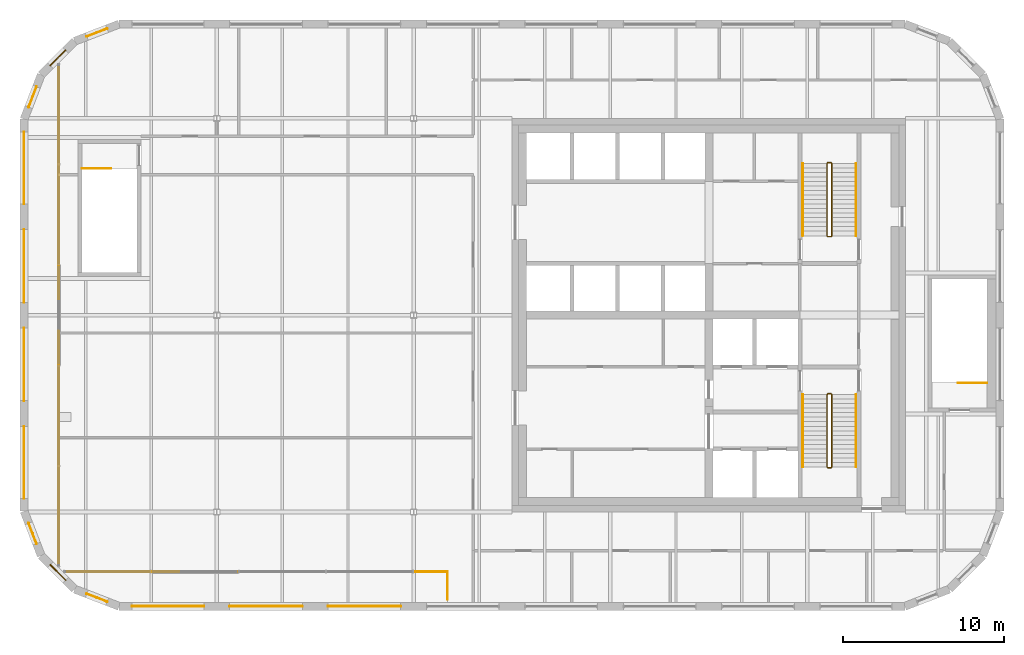
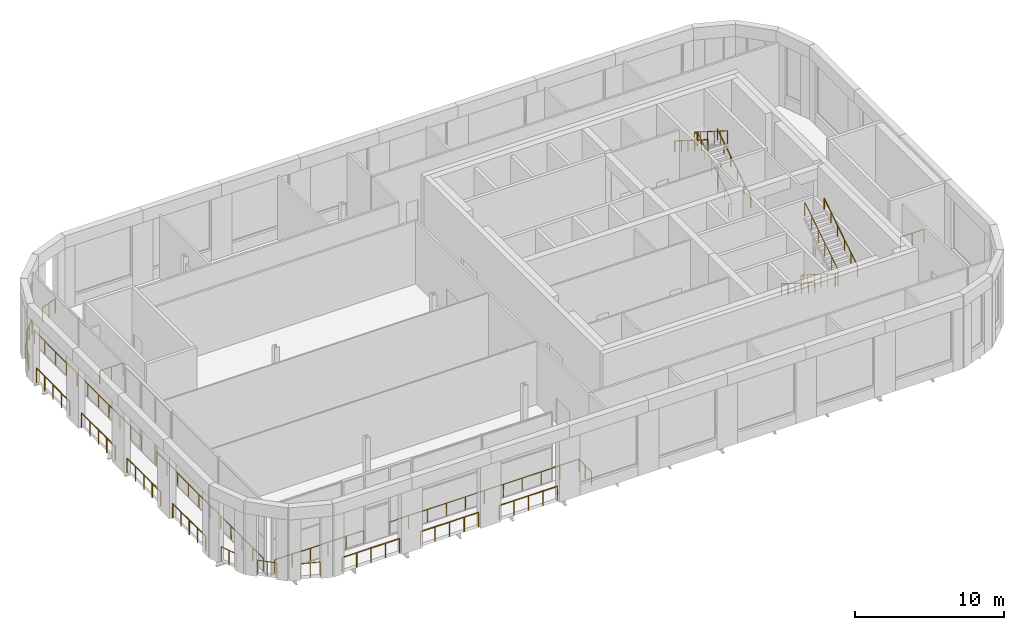
# One storey, part 18 of 19: 25 railings.
"""IFC4 building model written with IfcOpenShell, lengths in metres."""

import ifcopenshell
import ifcopenshell.guid

model = None  # the IFC model being written
_history = None  # IfcOwnerHistory: only IFC2X3 demands one
_inside = {}  # id of a spatial element -> (the spatial element, [elements in it])
_under = {}  # id of a project, library or spatial element -> (it, [spatial elements below it])
_declared = {}  # id of a project -> (the project, [libraries it declares])
_typed = {}  # id of a type object -> (the type object, [elements of that type])
_made_of = {}  # id of a material, layer set ... -> (it, [elements and type objects made of it])


def new_model(schema):
    """Start an empty IFC model of exactly this schema.

    Asked for "IFC4X3", IfcOpenShell would pick the latest addendum, in which some entities
    have other attributes; the version numbers below select the first issue.
    IFC2X3 requires an IfcOwnerHistory on every rooted entity: one is made here for all.
    """
    global model, _history
    if schema == "IFC4X3":
        model = ifcopenshell.file(schema_version=(4, 3, 0, 0))
    else:
        model = ifcopenshell.file(schema=schema)
    _inside.clear()
    _under.clear()
    _declared.clear()
    _typed.clear()
    _made_of.clear()
    _history = None
    if model.schema == "IFC2X3":
        org = make("IfcOrganization", Name="unknown")
        user = make(
            "IfcPersonAndOrganization",
            ThePerson=make("IfcPerson", FamilyName="unknown"),
            TheOrganization=org,
        )
        app = make(
            "IfcApplication",
            ApplicationDeveloper=org,
            Version="unknown",
            ApplicationFullName="unknown",
            ApplicationIdentifier="unknown",
        )
        _history = make(
            "IfcOwnerHistory",
            OwningUser=user,
            OwningApplication=app,
            ChangeAction="ADDED",
            CreationDate=0,
        )
    return model


def make(cls, **values):
    """One entity of the class cls with the attributes given. An attribute that is None is left unset."""
    return model.create_entity(
        cls, **{name: value for name, value in values.items() if value is not None}
    )


def rooted(cls, **values):
    """An entity with a GlobalId (a new one), such as an element, a storey or a relation."""
    return make(cls, GlobalId=ifcopenshell.guid.new(), OwnerHistory=_history, **values)


def si_unit(unit_type, name, prefix=None):
    """IfcSIUnit, for example si_unit("LENGTHUNIT", "METRE", prefix="MILLI")."""
    return make("IfcSIUnit", UnitType=unit_type, Prefix=prefix, Name=name)


def assignment(units):
    """IfcUnitAssignment: the units of a project."""
    return None if units is None else make("IfcUnitAssignment", Units=units)


def point(xyz):
    """IfcCartesianPoint."""
    return None if xyz is None else make("IfcCartesianPoint", Coordinates=xyz)


def direction(xyz):
    """IfcDirection."""
    return None if xyz is None else make("IfcDirection", DirectionRatios=xyz)


def frame(location, z_axis=None, x_axis=None):
    """IfcAxis2Placement3D, a coordinate frame: its origin and axes. An axis left out is left unset."""
    return make(
        "IfcAxis2Placement3D",
        Location=point(location),
        Axis=direction(z_axis),
        RefDirection=direction(x_axis),
    )


def frame_2d(location, x_axis=None):
    """IfcAxis2Placement2D, a coordinate frame in the plane: its origin and x axis."""
    return make(
        "IfcAxis2Placement2D", Location=point(location), RefDirection=direction(x_axis)
    )


def origin():
    """The frame at (0, 0, 0) with its axes left unset."""
    return frame((0.0, 0.0, 0.0))


def origin_2d():
    """The frame at (0, 0) in the plane with its x axis left unset."""
    return frame_2d((0.0, 0.0))


def place(relative_to, where):
    """IfcLocalPlacement: puts the frame where relative to a parent placement (None: the world)."""
    return make(
        "IfcLocalPlacement", PlacementRelTo=relative_to, RelativePlacement=where
    )


def context(
    kind, dimensions, precision=None, world=None, true_north=None, identifier=None
):
    """IfcGeometricRepresentationContext, for example the 3D "Model" context."""
    return make(
        "IfcGeometricRepresentationContext",
        ContextIdentifier=identifier,
        ContextType=kind,
        CoordinateSpaceDimension=dimensions,
        Precision=precision,
        WorldCoordinateSystem=world,
        TrueNorth=true_north,
    )


def subcontext(parent, identifier, kind, view, scale=None):
    """IfcGeometricRepresentationSubContext, for example "Body" below "Model"."""
    return make(
        "IfcGeometricRepresentationSubContext",
        ContextIdentifier=identifier,
        ContextType=kind,
        ParentContext=parent,
        TargetScale=scale,
        TargetView=view,
    )


def project(units=None, contexts=None):
    """IfcProject with its units and contexts."""
    return rooted(
        "IfcProject",
        Name="project",
        RepresentationContexts=contexts,
        UnitsInContext=assignment(units),
    )


def spatial(cls, under=None, at=None, **own):
    """A site, building, storey or space (cls), placed at a placement, below another one or the project."""
    s = rooted(cls, ObjectPlacement=at, **own)
    if under is not None:
        _under.setdefault(under.id(), (under, []))[1].append(s)
    return s


def profile(cls, at=None, kind="AREA", **sizes):
    """A parametric profile (cls). Its sizes go by their IFC names, for example OverallWidth=200.0."""
    return make(cls, ProfileType=kind, Position=at, **sizes)


def circle(**sizes):
    """IfcCircleProfileDef."""
    return profile("IfcCircleProfileDef", **sizes)


def extrude(swept, where, along, depth):
    """IfcExtrudedAreaSolid: the profile swept, set in the frame where, extruded along a direction by depth."""
    return make(
        "IfcExtrudedAreaSolid",
        SweptArea=swept,
        Position=where,
        ExtrudedDirection=direction(along),
        Depth=depth,
    )


def shape(context_of_items, identifier, shape_type, items):
    """IfcShapeRepresentation: the items that make up one representation, for example the "Body"."""
    return make(
        "IfcShapeRepresentation",
        ContextOfItems=context_of_items,
        RepresentationIdentifier=identifier,
        RepresentationType=shape_type,
        Items=items,
    )


def material(Name=None, Category=None):
    """IfcMaterial."""
    return make("IfcMaterial", Name=Name, Category=Category)


def made_of(thing, what):
    """Note that an element or type object is made of a material, layer set ...; save() writes the relation."""
    if what is not None:
        _made_of.setdefault(what.id(), (what, []))[1].append(thing)
    return thing


def type_object(cls, material=None, **own):
    """A type object (cls), such as IfcWallType, which elements share."""
    return made_of(rooted(cls, **own), material)


def element(
    cls,
    number,
    at=None,
    inside=None,
    cuts=None,
    type_object=None,
    material=None,
    context=None,
    identifier="Body",
    shape_type=None,
    held_by="IfcProductDefinitionShape",
    body=None,
    shapes=None,
    **own,
):
    """One element of the class cls, such as IfcWall. Its Tag is "e" and its number.

    at: its placement. inside: the storey or other place that contains it. cuts: it is an
    opening in that element (IfcRelVoidsElement). A single representation is given by context,
    identifier, shape_type and body (its items); several are given by shapes. held_by: the class
    of the entity that holds the representations. save() writes the other relations.
    """
    e = rooted(cls, Tag="e%d" % number, ObjectPlacement=at, **own)
    if body is not None:
        shapes = [shape(context, identifier, shape_type, body)]
    if shapes is not None:
        e.Representation = make(held_by, Representations=shapes)
    if inside is not None:
        _inside.setdefault(inside.id(), (inside, []))[1].append(e)
    if cuts is not None:
        rooted(
            "IfcRelVoidsElement", RelatingBuildingElement=cuts, RelatedOpeningElement=e
        )
    if type_object is not None:
        _typed.setdefault(type_object.id(), (type_object, []))[1].append(e)
    return made_of(e, material)


def aggregate(whole, parts):
    """IfcRelAggregates: a whole, such as a stair, and the parts it consists of."""
    return rooted("IfcRelAggregates", RelatingObject=whole, RelatedObjects=parts)


def save(model, path):
    """Write the relations noted so far, then the file.

    IfcRelAggregates (storeys below a building ...), IfcRelContainedInSpatialStructure (elements
    in a storey), IfcRelDefinesByType, IfcRelAssociatesMaterial and IfcRelDeclares: one each for
    every whole, place, type object, material and project.
    """
    for whole, parts in _under.values():
        aggregate(whole, parts)
    for where, things in _inside.values():
        rooted(
            "IfcRelContainedInSpatialStructure",
            RelatedElements=things,
            RelatingStructure=where,
        )
    for kind, things in _typed.values():
        rooted("IfcRelDefinesByType", RelatedObjects=things, RelatingType=kind)
    for what, things in _made_of.values():
        rooted("IfcRelAssociatesMaterial", RelatedObjects=things, RelatingMaterial=what)
    for by, libraries in _declared.values():
        rooted("IfcRelDeclares", RelatingContext=by, RelatedDefinitions=libraries)
    model.write(path)


model = new_model("IFC4")

# Units and contexts
model_context = context("Model", 3, precision=1e-05, world=origin(), true_north=direction((0.0, 1.0)))
body_context = subcontext(model_context, "Body", "Model", "MODEL_VIEW")
ifc_project = project(units=[si_unit("LENGTHUNIT", "METRE"), si_unit("AREAUNIT", "SQUARE_METRE"), si_unit("VOLUMEUNIT", "CUBIC_METRE"), si_unit("PLANEANGLEUNIT", "RADIAN"), si_unit("MASSUNIT", "GRAM", prefix="KILO")], contexts=[model_context])

# Site, building, storey
site_placement = place(None, origin())
site = spatial("IfcSite", under=ifc_project, at=site_placement, CompositionType="ELEMENT")
building_placement = place(site_placement, origin())
building = spatial("IfcBuilding", under=site, at=building_placement, Name="Tessera Gate Towers", CompositionType="ELEMENT")
storey_placement = place(building_placement, frame((0.0, 0.0, 259.699951171875)))
storey = spatial("IfcBuildingStorey", under=building, at=storey_placement, Name="L65", CompositionType="ELEMENT", Elevation=259.699951171875)

# Railings
ifc_material_1 = material(Name="Stainless steel balustrade", Category="steel")
railing_type_1 = type_object("IfcRailingType", Name="GR1 guard rail", PredefinedType="GUARDRAIL", material=ifc_material_1)
railing_1_placement = place(storey_placement, frame((6.946533203125, 18.550048828125, 0.0)))
element("IfcRailing", 1, at=railing_1_placement, inside=storey, type_object=railing_type_1, Name="Guard T1 GR-0001", PredefinedType="GUARDRAIL", context=body_context, shape_type="SweptSolid", body=[
    extrude(circle(Radius=0.02490234375, at=origin_2d()), frame((0.0, 0.0, 1.1748046875), z_axis=(1.0, 0.0, 0.0), x_axis=(0.0, 1.0, 0.0)), (0.0, 0.0, 1.0), 4.453369140625),
    extrude(circle(Radius=0.02490234375, at=origin_2d()), origin(), (0.0, 0.0, 1.0), 1.14990234375),
    extrude(circle(Radius=0.02490234375, at=origin_2d()), frame((1.11328125, 0.0, 0.0)), (0.0, 0.0, 1.0), 1.14990234375),
    extrude(circle(Radius=0.02490234375, at=origin_2d()), frame((2.2265625, 0.0, 0.0)), (0.0, 0.0, 1.0), 1.14990234375),
    extrude(circle(Radius=0.02490234375, at=origin_2d()), frame((3.340087890625, 0.0, 0.0)), (0.0, 0.0, 1.0), 1.14990234375),
    extrude(circle(Radius=0.02490234375, at=origin_2d()), frame((4.453369140625, 0.0, 0.0)), (0.0, 0.0, 1.0), 1.14990234375),
])
for number, where, name in (
    (2, (13.0, 18.550048828125, 0.0), "Guard T1 GR-0002"),
    (3, (19.10009765625, 18.550048828125, 0.0), "Guard T1 GR-0003"),
):
    element("IfcRailing", number, at=place(storey_placement, frame(where)), inside=storey, type_object=railing_type_1, Name=name, PredefinedType="GUARDRAIL", context=body_context, shape_type="SweptSolid", body=[
        extrude(circle(Radius=0.02490234375, at=origin_2d()), frame((0.0, 0.0, 1.1748046875), z_axis=(1.0, 0.0, 0.0), x_axis=(0.0, 1.0, 0.0)), (0.0, 0.0, 1.0), 4.5),
        extrude(circle(Radius=0.02490234375, at=origin_2d()), origin(), (0.0, 0.0, 1.0), 1.14990234375),
        extrude(circle(Radius=0.02490234375, at=origin_2d()), frame((1.125, 0.0, 0.0)), (0.0, 0.0, 1.0), 1.14990234375),
        extrude(circle(Radius=0.02490234375, at=origin_2d()), frame((2.25, 0.0, 0.0)), (0.0, 0.0, 1.0), 1.14990234375),
        extrude(circle(Radius=0.02490234375, at=origin_2d()), frame((3.375, 0.0, 0.0)), (0.0, 0.0, 1.0), 1.14990234375),
        extrude(circle(Radius=0.02490234375, at=origin_2d()), frame((4.5, 0.0, 0.0)), (0.0, 0.0, 1.0), 1.14990234375),
    ])
railing_2_placement = place(storey_placement, frame((5.400146484375, 54.362060546875, 0.0)))
element("IfcRailing", 4, at=railing_2_placement, inside=storey, type_object=railing_type_1, Name="Guard T1 GR-0004", PredefinedType="GUARDRAIL", context=body_context, shape_type="SweptSolid", body=[
    extrude(circle(Radius=0.02490234375, at=origin_2d()), frame((0.0, 0.0, 1.1748046875), z_axis=(-0.932981713512, -0.359923772835, 0.0), x_axis=(0.359923772835, -0.932981713512, 0.0)), (0.0, 0.0, 1.0), 1.3505859375),
    extrude(circle(Radius=0.02490234375, at=origin_2d()), origin(), (0.0, 0.0, 1.0), 1.14990234375),
    extrude(circle(Radius=0.02490234375, at=origin_2d()), frame((-0.6298828125, -0.2431640625, 0.0)), (0.0, 0.0, 1.0), 1.14990234375),
    extrude(circle(Radius=0.02490234375, at=origin_2d()), frame((-1.260009765625, -0.486083984375, 0.0)), (0.0, 0.0, 1.0), 1.14990234375),
])
railing_3_placement = place(storey_placement, frame((2.828125, 53.0224609375, 0.0)))
element("IfcRailing", 5, at=railing_3_placement, inside=storey, type_object=railing_type_1, Name="Guard T1 GR-0005", PredefinedType="GUARDRAIL", context=body_context, shape_type="SweptSolid", body=[
    extrude(circle(Radius=0.02490234375, at=origin_2d()), frame((0.0, 0.0, 1.1748046875), z_axis=(-0.707106781187, -0.707106781187, 0.0), x_axis=(0.707106781187, -0.707106781187, 0.0)), (0.0, 0.0, 1.0), 1.34423828125),
    extrude(circle(Radius=0.02490234375, at=origin_2d()), origin(), (0.0, 0.0, 1.0), 1.14990234375),
    extrude(circle(Radius=0.02490234375, at=origin_2d()), frame((-0.47509765625, -0.47509765625, 0.0)), (0.0, 0.0, 1.0), 1.14990234375),
    extrude(circle(Radius=0.02490234375, at=origin_2d()), frame((-0.950439453125, -0.950439453125, 0.0)), (0.0, 0.0, 1.0), 1.14990234375),
])
railing_4_placement = place(storey_placement, frame((1.02392578125, 50.759765625, 0.0)))
element("IfcRailing", 6, at=railing_4_placement, inside=storey, type_object=railing_type_1, Name="Guard T1 GR-0006", PredefinedType="GUARDRAIL", context=body_context, shape_type="SweptSolid", body=[
    extrude(circle(Radius=0.02490234375, at=origin_2d()), frame((0.0, 0.0, 1.1748046875), z_axis=(-0.359923772835, -0.932981713512, 0.0), x_axis=(0.932981713512, -0.359923772835, 0.0)), (0.0, 0.0, 1.0), 1.3505859375),
    extrude(circle(Radius=0.02490234375, at=origin_2d()), origin(), (0.0, 0.0, 1.0), 1.14990234375),
    extrude(circle(Radius=0.02490234375, at=origin_2d()), frame((-0.2431640625, -0.6298828125, 0.0)), (0.0, 0.0, 1.0), 1.14990234375),
    extrude(circle(Radius=0.02490234375, at=origin_2d()), frame((-0.486083984375, -1.260009765625, 0.0)), (0.0, 0.0, 1.0), 1.14990234375),
])
railing_5_placement = place(storey_placement, frame((0.25, 47.953369140625, 0.0)))
element("IfcRailing", 7, at=railing_5_placement, inside=storey, type_object=railing_type_1, Name="Guard T1 GR-0007", PredefinedType="GUARDRAIL", context=body_context, shape_type="SweptSolid", body=[
    extrude(circle(Radius=0.02490234375, at=origin_2d()), frame((0.0, 0.0, 1.1748046875), z_axis=(0.0, -1.0, 0.0), x_axis=(1.0, 0.0, 0.0)), (0.0, 0.0, 1.0), 4.453369140625),
    extrude(circle(Radius=0.02490234375, at=origin_2d()), origin(), (0.0, 0.0, 1.0), 1.14990234375),
    extrude(circle(Radius=0.02490234375, at=origin_2d()), frame((0.0, -1.11328125, 0.0)), (0.0, 0.0, 1.0), 1.14990234375),
    extrude(circle(Radius=0.02490234375, at=origin_2d()), frame((0.0, -2.2265625, 0.0)), (0.0, 0.0, 1.0), 1.14990234375),
    extrude(circle(Radius=0.02490234375, at=origin_2d()), frame((0.0, -3.340087890625, 0.0)), (0.0, 0.0, 1.0), 1.14990234375),
    extrude(circle(Radius=0.02490234375, at=origin_2d()), frame((0.0, -4.453369140625, 0.0)), (0.0, 0.0, 1.0), 1.14990234375),
])
for number, where, name in (
    (8, (0.25, 41.89990234375, 0.0), "Guard T1 GR-0008"),
    (9, (0.25, 35.800048828125, 0.0), "Guard T1 GR-0009"),
):
    element("IfcRailing", number, at=place(storey_placement, frame(where)), inside=storey, type_object=railing_type_1, Name=name, PredefinedType="GUARDRAIL", context=body_context, shape_type="SweptSolid", body=[
        extrude(circle(Radius=0.02490234375, at=origin_2d()), frame((0.0, 0.0, 1.1748046875), z_axis=(0.0, -1.0, 0.0), x_axis=(1.0, 0.0, 0.0)), (0.0, 0.0, 1.0), 4.5),
        extrude(circle(Radius=0.02490234375, at=origin_2d()), origin(), (0.0, 0.0, 1.0), 1.14990234375),
        extrude(circle(Radius=0.02490234375, at=origin_2d()), frame((0.0, -1.125, 0.0)), (0.0, 0.0, 1.0), 1.14990234375),
        extrude(circle(Radius=0.02490234375, at=origin_2d()), frame((0.0, -2.25, 0.0)), (0.0, 0.0, 1.0), 1.14990234375),
        extrude(circle(Radius=0.02490234375, at=origin_2d()), frame((0.0, -3.375, 0.0)), (0.0, 0.0, 1.0), 1.14990234375),
        extrude(circle(Radius=0.02490234375, at=origin_2d()), frame((0.0, -4.5, 0.0)), (0.0, 0.0, 1.0), 1.14990234375),
    ])
railing_6_placement = place(storey_placement, frame((0.25, 29.699951171875, 0.0)))
element("IfcRailing", 10, at=railing_6_placement, inside=storey, type_object=railing_type_1, Name="Guard T1 GR-0010", PredefinedType="GUARDRAIL", context=body_context, shape_type="SweptSolid", body=[
    extrude(circle(Radius=0.02490234375, at=origin_2d()), frame((0.0, 0.0, 1.1748046875), z_axis=(0.0, -1.0, 0.0), x_axis=(1.0, 0.0, 0.0)), (0.0, 0.0, 1.0), 4.453369140625),
    extrude(circle(Radius=0.02490234375, at=origin_2d()), origin(), (0.0, 0.0, 1.0), 1.14990234375),
    extrude(circle(Radius=0.02490234375, at=origin_2d()), frame((0.0, -1.11328125, 0.0)), (0.0, 0.0, 1.0), 1.14990234375),
    extrude(circle(Radius=0.02490234375, at=origin_2d()), frame((0.0, -2.2265625, 0.0)), (0.0, 0.0, 1.0), 1.14990234375),
    extrude(circle(Radius=0.02490234375, at=origin_2d()), frame((0.0, -3.340087890625, 0.0)), (0.0, 0.0, 1.0), 1.14990234375),
    extrude(circle(Radius=0.02490234375, at=origin_2d()), frame((0.0, -4.453369140625, 0.0)), (0.0, 0.0, 1.0), 1.14990234375),
])
railing_7_placement = place(storey_placement, frame((0.537841796875, 23.7001953125, 0.0)))
element("IfcRailing", 11, at=railing_7_placement, inside=storey, type_object=railing_type_1, Name="Guard T1 GR-0011", PredefinedType="GUARDRAIL", context=body_context, shape_type="SweptSolid", body=[
    extrude(circle(Radius=0.02490234375, at=origin_2d()), frame((0.0, 0.0, 1.1748046875), z_axis=(0.359923772835, -0.932981713512, 0.0), x_axis=(0.932981713512, 0.359923772835, 0.0)), (0.0, 0.0, 1.0), 1.3505859375),
    extrude(circle(Radius=0.02490234375, at=origin_2d()), origin(), (0.0, 0.0, 1.0), 1.14990234375),
    extrude(circle(Radius=0.02490234375, at=origin_2d()), frame((0.2431640625, -0.6298828125, 0.0)), (0.0, 0.0, 1.0), 1.14990234375),
    extrude(circle(Radius=0.02490234375, at=origin_2d()), frame((0.486083984375, -1.260009765625, 0.0)), (0.0, 0.0, 1.0), 1.14990234375),
])
railing_8_placement = place(storey_placement, frame((1.877685546875, 21.1279296875, 0.0)))
element("IfcRailing", 12, at=railing_8_placement, inside=storey, type_object=railing_type_1, Name="Guard T1 GR-0012", PredefinedType="GUARDRAIL", context=body_context, shape_type="SweptSolid", body=[
    extrude(circle(Radius=0.02490234375, at=origin_2d()), frame((0.0, 0.0, 1.1748046875), z_axis=(0.707106781187, -0.707106781187, 0.0), x_axis=(0.707106781187, 0.707106781187, 0.0)), (0.0, 0.0, 1.0), 1.34423828125),
    extrude(circle(Radius=0.02490234375, at=origin_2d()), origin(), (0.0, 0.0, 1.0), 1.14990234375),
    extrude(circle(Radius=0.02490234375, at=origin_2d()), frame((0.47509765625, -0.47509765625, 0.0)), (0.0, 0.0, 1.0), 1.14990234375),
    extrude(circle(Radius=0.02490234375, at=origin_2d()), frame((0.950439453125, -0.950439453125, 0.0)), (0.0, 0.0, 1.0), 1.14990234375),
])
railing_9_placement = place(storey_placement, frame((4.14013671875, 19.323974609375, 0.0)))
element("IfcRailing", 13, at=railing_9_placement, inside=storey, type_object=railing_type_1, Name="Guard T1 GR-0013", PredefinedType="GUARDRAIL", context=body_context, shape_type="SweptSolid", body=[
    extrude(circle(Radius=0.02490234375, at=origin_2d()), frame((0.0, 0.0, 1.1748046875), z_axis=(0.932981713512, -0.359923772835, 0.0), x_axis=(0.359923772835, 0.932981713512, 0.0)), (0.0, 0.0, 1.0), 1.3505859375),
    extrude(circle(Radius=0.02490234375, at=origin_2d()), origin(), (0.0, 0.0, 1.0), 1.14990234375),
    extrude(circle(Radius=0.02490234375, at=origin_2d()), frame((0.6298828125, -0.2431640625, 0.0)), (0.0, 0.0, 1.0), 1.14990234375),
    extrude(circle(Radius=0.02490234375, at=origin_2d()), frame((1.260009765625, -0.486083984375, 0.0)), (0.0, 0.0, 1.0), 1.14990234375),
])
ifc_material_2 = material(Name="Toughened glass with stainless steel handrail", Category="steel")
railing_type_2 = type_object("IfcRailingType", Name="GUARD 1100 GLASS BALUSTRADE", PredefinedType="GUARDRAIL", material=ifc_material_2)
railing_10_placement = place(storey_placement, frame((2.39990234375, 21.241943359375, 0.0)))
element("IfcRailing", 14, at=railing_10_placement, inside=storey, type_object=railing_type_2, Name="Guard", PredefinedType="GUARDRAIL", context=body_context, shape_type="SweptSolid", body=[
    extrude(circle(Radius=0.02490234375, at=origin_2d()), frame((0.0, 0.0, 1.0751953125), z_axis=(0.0, 1.0, 0.0), x_axis=(-1.0, 0.0, 0.0)), (0.0, 0.0, 1.0), 14.358154296875),
    extrude(circle(Radius=0.02490234375, at=origin_2d()), origin(), (0.0, 0.0, 1.0), 1.050048828125),
    extrude(circle(Radius=0.02490234375, at=origin_2d()), frame((0.0, 1.435791015625, 0.0)), (0.0, 0.0, 1.0), 1.050048828125),
    extrude(circle(Radius=0.02490234375, at=origin_2d()), frame((0.0, 2.87158203125, 0.0)), (0.0, 0.0, 1.0), 1.050048828125),
    extrude(circle(Radius=0.02490234375, at=origin_2d()), frame((0.0, 4.307373046875, 0.0)), (0.0, 0.0, 1.0), 1.050048828125),
    extrude(circle(Radius=0.02490234375, at=origin_2d()), frame((0.0, 5.7431640625, 0.0)), (0.0, 0.0, 1.0), 1.050048828125),
    extrude(circle(Radius=0.02490234375, at=origin_2d()), frame((0.0, 7.17919921875, 0.0)), (0.0, 0.0, 1.0), 1.050048828125),
    extrude(circle(Radius=0.02490234375, at=origin_2d()), frame((0.0, 8.614990234375, 0.0)), (0.0, 0.0, 1.0), 1.050048828125),
    extrude(circle(Radius=0.02490234375, at=origin_2d()), frame((0.0, 10.05078125, 0.0)), (0.0, 0.0, 1.0), 1.050048828125),
    extrude(circle(Radius=0.02490234375, at=origin_2d()), frame((0.0, 11.486572265625, 0.0)), (0.0, 0.0, 1.0), 1.050048828125),
    extrude(circle(Radius=0.02490234375, at=origin_2d()), frame((0.0, 12.92236328125, 0.0)), (0.0, 0.0, 1.0), 1.050048828125),
    extrude(circle(Radius=0.02490234375, at=origin_2d()), frame((0.0, 14.358154296875, 0.0)), (0.0, 0.0, 1.0), 1.050048828125),
])
railing_11_placement = place(storey_placement, frame((2.39990234375, 37.60009765625, 0.0)))
element("IfcRailing", 15, at=railing_11_placement, inside=storey, type_object=railing_type_2, Name="Guard", PredefinedType="GUARDRAIL", context=body_context, shape_type="SweptSolid", body=[
    extrude(circle(Radius=0.02490234375, at=origin_2d()), frame((0.0, 0.0, 1.0751953125), z_axis=(0.0, 1.0, 0.0), x_axis=(-1.0, 0.0, 0.0)), (0.0, 0.0, 1.0), 14.35791015625),
    extrude(circle(Radius=0.02490234375, at=origin_2d()), origin(), (0.0, 0.0, 1.0), 1.050048828125),
    extrude(circle(Radius=0.02490234375, at=origin_2d()), frame((0.0, 1.435791015625, 0.0)), (0.0, 0.0, 1.0), 1.050048828125),
    extrude(circle(Radius=0.02490234375, at=origin_2d()), frame((0.0, 2.87158203125, 0.0)), (0.0, 0.0, 1.0), 1.050048828125),
    extrude(circle(Radius=0.02490234375, at=origin_2d()), frame((0.0, 4.307373046875, 0.0)), (0.0, 0.0, 1.0), 1.050048828125),
    extrude(circle(Radius=0.02490234375, at=origin_2d()), frame((0.0, 5.7431640625, 0.0)), (0.0, 0.0, 1.0), 1.050048828125),
    extrude(circle(Radius=0.02490234375, at=origin_2d()), frame((0.0, 7.178955078125, 0.0)), (0.0, 0.0, 1.0), 1.050048828125),
    extrude(circle(Radius=0.02490234375, at=origin_2d()), frame((0.0, 8.61474609375, 0.0)), (0.0, 0.0, 1.0), 1.050048828125),
    extrude(circle(Radius=0.02490234375, at=origin_2d()), frame((0.0, 10.050537109375, 0.0)), (0.0, 0.0, 1.0), 1.050048828125),
    extrude(circle(Radius=0.02490234375, at=origin_2d()), frame((0.0, 11.486328125, 0.0)), (0.0, 0.0, 1.0), 1.050048828125),
    extrude(circle(Radius=0.02490234375, at=origin_2d()), frame((0.0, 12.922119140625, 0.0)), (0.0, 0.0, 1.0), 1.050048828125),
    extrude(circle(Radius=0.02490234375, at=origin_2d()), frame((0.0, 14.35791015625, 0.0)), (0.0, 0.0, 1.0), 1.050048828125),
])
railing_12_placement = place(storey_placement, frame((9.83740234375, 20.699951171875, 0.0)))
element("IfcRailing", 16, at=railing_12_placement, inside=storey, type_object=railing_type_2, Name="Guard", PredefinedType="GUARDRAIL", context=body_context, shape_type="SweptSolid", body=[
    extrude(circle(Radius=0.02490234375, at=origin_2d()), frame((0.0, 0.0, 1.0751953125), z_axis=(-1.0, 0.0, 0.0), x_axis=(0.0, -1.0, 0.0)), (0.0, 0.0, 1.0), 6.8955078125),
    extrude(circle(Radius=0.02490234375, at=origin_2d()), origin(), (0.0, 0.0, 1.0), 1.050048828125),
    extrude(circle(Radius=0.02490234375, at=origin_2d()), frame((-1.379150390625, 0.0, 0.0)), (0.0, 0.0, 1.0), 1.050048828125),
    extrude(circle(Radius=0.02490234375, at=origin_2d()), frame((-2.75830078125, 0.0, 0.0)), (0.0, 0.0, 1.0), 1.050048828125),
    extrude(circle(Radius=0.02490234375, at=origin_2d()), frame((-4.13720703125, 0.0, 0.0)), (0.0, 0.0, 1.0), 1.050048828125),
    extrude(circle(Radius=0.02490234375, at=origin_2d()), frame((-5.516357421875, 0.0, 0.0)), (0.0, 0.0, 1.0), 1.050048828125),
    extrude(circle(Radius=0.02490234375, at=origin_2d()), frame((-6.8955078125, 0.0, 0.0)), (0.0, 0.0, 1.0), 1.050048828125),
])
railing_13_placement = place(storey_placement, frame((26.5, 19.0, 0.0)))
element("IfcRailing", 17, at=railing_13_placement, inside=storey, type_object=railing_type_2, Name="Guard", PredefinedType="GUARDRAIL", context=body_context, shape_type="SweptSolid", body=[
    extrude(circle(Radius=0.02490234375, at=origin_2d()), frame((0.0, 0.0, 1.0751953125), z_axis=(0.0, 1.0, 0.0), x_axis=(-1.0, 0.0, 0.0)), (0.0, 0.0, 1.0), 1.699951171875),
    extrude(circle(Radius=0.02490234375, at=origin_2d()), frame((0.0, 1.699951171875, 1.0751953125), z_axis=(-1.0, 0.0, 0.0), x_axis=(0.0, -1.0, 0.0)), (0.0, 0.0, 1.0), 14.66259765625),
    extrude(circle(Radius=0.02490234375, at=origin_2d()), origin(), (0.0, 0.0, 1.0), 1.050048828125),
    extrude(circle(Radius=0.02490234375, at=origin_2d()), frame((0.0, 0.85009765625, 0.0)), (0.0, 0.0, 1.0), 1.050048828125),
    extrude(circle(Radius=0.02490234375, at=origin_2d()), frame((0.0, 1.699951171875, 0.0)), (0.0, 0.0, 1.0), 1.050048828125),
    extrude(circle(Radius=0.02490234375, at=origin_2d()), frame((-1.46630859375, 1.699951171875, 0.0)), (0.0, 0.0, 1.0), 1.050048828125),
    extrude(circle(Radius=0.02490234375, at=origin_2d()), frame((-2.9326171875, 1.699951171875, 0.0)), (0.0, 0.0, 1.0), 1.050048828125),
    extrude(circle(Radius=0.02490234375, at=origin_2d()), frame((-4.398681640625, 1.699951171875, 0.0)), (0.0, 0.0, 1.0), 1.050048828125),
    extrude(circle(Radius=0.02490234375, at=origin_2d()), frame((-5.864990234375, 1.699951171875, 0.0)), (0.0, 0.0, 1.0), 1.050048828125),
    extrude(circle(Radius=0.02490234375, at=origin_2d()), frame((-7.331298828125, 1.699951171875, 0.0)), (0.0, 0.0, 1.0), 1.050048828125),
    extrude(circle(Radius=0.02490234375, at=origin_2d()), frame((-8.797607421875, 1.699951171875, 0.0)), (0.0, 0.0, 1.0), 1.050048828125),
    extrude(circle(Radius=0.02490234375, at=origin_2d()), frame((-10.263916015625, 1.699951171875, 0.0)), (0.0, 0.0, 1.0), 1.050048828125),
    extrude(circle(Radius=0.02490234375, at=origin_2d()), frame((-11.72998046875, 1.699951171875, 0.0)), (0.0, 0.0, 1.0), 1.050048828125),
    extrude(circle(Radius=0.02490234375, at=origin_2d()), frame((-13.1962890625, 1.699951171875, 0.0)), (0.0, 0.0, 1.0), 1.050048828125),
    extrude(circle(Radius=0.02490234375, at=origin_2d()), frame((-14.66259765625, 1.699951171875, 0.0)), (0.0, 0.0, 1.0), 1.050048828125),
])
ifc_material_3 = material(Name="Steel 350W", Category="steel")
railing_type_3 = type_object("IfcRailingType", Name="STAIR GUARD 1100", PredefinedType="GUARDRAIL", material=ifc_material_3)
railing_14_placement = place(storey_placement, frame((50.27490234375, 31.72509765625, 0.0)))
element("IfcRailing", 18, at=railing_14_placement, inside=storey, type_object=railing_type_3, Name="L65 ST1 stair guard 1", PredefinedType="GUARDRAIL", context=body_context, shape_type="SweptSolid", body=[
    extrude(circle(Radius=0.02392578125, at=origin_2d()), frame((0.0, 0.0, 1.076171875), z_axis=(-1.0, 0.0, 0.0), x_axis=(0.0, -1.0, 0.0)), (0.0, 0.0, 1.0), 0.199951171875),
    extrude(circle(Radius=0.02392578125, at=origin_2d()), frame((-0.199951171875, 0.0, 1.076171875), z_axis=(-0.263171338983, -0.263171338983, 0.928160380902), x_axis=(0.707106781187, -0.707106781187, 0.0)), (0.0, 0.0, 1.0), 0.190185546875),
    extrude(circle(Radius=0.02392578125, at=origin_2d()), frame((-0.25, -0.050048828125, 1.25244140625), z_axis=(0.0, -0.845997938375, 0.533186166611), x_axis=(1.0, 0.0, 0.0)), (0.0, 0.0, 1.0), 5.29541015625),
    extrude(circle(Radius=0.02392578125, at=origin_2d()), frame((-0.25, -4.530029296875, 4.076171875), z_axis=(0.707106781187, -0.707106781187, 0.0), x_axis=(0.707106781187, 0.707106781187, 0.0)), (0.0, 0.0, 1.0), 0.07080078125),
    extrude(circle(Radius=0.02392578125, at=origin_2d()), frame((-0.199951171875, -4.580078125, 4.076171875), z_axis=(1.0, 0.0, 0.0), x_axis=(0.0, 1.0, 0.0)), (0.0, 0.0, 1.0), 0.199951171875),
    extrude(circle(Radius=0.02392578125, at=origin_2d()), frame((0.0, -4.580078125, 4.076171875), z_axis=(0.263171338983, 0.263171338983, 0.928160380902), x_axis=(-0.707106781187, 0.707106781187, 0.0)), (0.0, 0.0, 1.0), 0.190185546875),
    extrude(circle(Radius=0.02392578125, at=origin_2d()), frame((0.050048828125, -4.530029296875, 4.25244140625), z_axis=(0.0, 0.845997938375, 0.533186166611), x_axis=(-1.0, 0.0, 0.0)), (0.0, 0.0, 1.0), 5.29541015625),
    extrude(circle(Radius=0.02099609375, at=origin_2d()), origin(), (0.0, 0.0, 1.0), 1.052001953125),
    extrude(circle(Radius=0.02099609375, at=origin_2d()), frame((-0.199951171875, 0.0, 0.0)), (0.0, 0.0, 1.0), 1.052001953125),
    extrude(circle(Radius=0.02099609375, at=origin_2d()), frame((-0.25, -0.050048828125, 0.176513671875)), (0.0, 0.0, 1.0), 1.052001953125),
    extrude(circle(Radius=0.02099609375, at=origin_2d()), frame((-0.25, -0.946044921875, 0.7412109375)), (0.0, 0.0, 1.0), 1.052001953125),
    extrude(circle(Radius=0.02099609375, at=origin_2d()), frame((-0.25, -1.842041015625, 1.305908203125)), (0.0, 0.0, 1.0), 1.052001953125),
    extrude(circle(Radius=0.02099609375, at=origin_2d()), frame((-0.25, -2.738037109375, 1.87060546875)), (0.0, 0.0, 1.0), 1.052001953125),
    extrude(circle(Radius=0.02099609375, at=origin_2d()), frame((-0.25, -3.634033203125, 2.435302734375)), (0.0, 0.0, 1.0), 1.052001953125),
    extrude(circle(Radius=0.02099609375, at=origin_2d()), frame((-0.25, -4.530029296875, 3.0)), (0.0, 0.0, 1.0), 1.052001953125),
    extrude(circle(Radius=0.02099609375, at=origin_2d()), frame((-0.199951171875, -4.580078125, 3.0)), (0.0, 0.0, 1.0), 1.052001953125),
    extrude(circle(Radius=0.02099609375, at=origin_2d()), frame((0.0, -4.580078125, 3.0)), (0.0, 0.0, 1.0), 1.052001953125),
    extrude(circle(Radius=0.02099609375, at=origin_2d()), frame((0.050048828125, -4.530029296875, 3.176513671875)), (0.0, 0.0, 1.0), 1.052001953125),
    extrude(circle(Radius=0.02099609375, at=origin_2d()), frame((0.050048828125, -3.634033203125, 3.7412109375)), (0.0, 0.0, 1.0), 1.052001953125),
    extrude(circle(Radius=0.02099609375, at=origin_2d()), frame((0.050048828125, -2.738037109375, 4.305908203125)), (0.0, 0.0, 1.0), 1.052001953125),
    extrude(circle(Radius=0.02099609375, at=origin_2d()), frame((0.050048828125, -1.842041015625, 4.87060546875)), (0.0, 0.0, 1.0), 1.052001953125),
    extrude(circle(Radius=0.02099609375, at=origin_2d()), frame((0.050048828125, -0.946044921875, 5.435302734375)), (0.0, 0.0, 1.0), 1.052001953125),
    extrude(circle(Radius=0.02099609375, at=origin_2d()), frame((0.050048828125, -0.050048828125, 6.0)), (0.0, 0.0, 1.0), 1.052001953125),
])
railing_15_placement = place(storey_placement, frame((50.074951171875, 41.47509765625, 0.0)))
element("IfcRailing", 19, at=railing_15_placement, inside=storey, type_object=railing_type_3, Name="L65 ST2 stair guard 1", PredefinedType="GUARDRAIL", context=body_context, shape_type="SweptSolid", body=[
    extrude(circle(Radius=0.02392578125, at=origin_2d()), frame((0.0, 0.0, 1.076171875), z_axis=(1.0, 0.0, 0.0), x_axis=(0.0, 1.0, 0.0)), (0.0, 0.0, 1.0), 0.199951171875),
    extrude(circle(Radius=0.02392578125, at=origin_2d()), frame((0.199951171875, 0.0, 1.076171875), z_axis=(0.263260079301, 0.261975883792, 0.928473352853), x_axis=(-0.705375805398, 0.708833529934, 0.0)), (0.0, 0.0, 1.0), 0.190185546875),
    extrude(circle(Radius=0.02392578125, at=origin_2d()), frame((0.25, 0.0498046875, 1.25244140625), z_axis=(0.0, 0.845997938375, 0.533186166611), x_axis=(-1.0, 0.0, 0.0)), (0.0, 0.0, 1.0), 5.29541015625),
    extrude(circle(Radius=0.02392578125, at=origin_2d()), frame((0.25, 4.52978515625, 4.076171875), z_axis=(-0.707106781187, 0.707106781187, 0.0), x_axis=(-0.707106781187, -0.707106781187, 0.0)), (0.0, 0.0, 1.0), 0.07080078125),
    extrude(circle(Radius=0.02392578125, at=origin_2d()), frame((0.199951171875, 4.579833984375, 4.076171875), z_axis=(-1.0, 0.0, 0.0), x_axis=(0.0, -1.0, 0.0)), (0.0, 0.0, 1.0), 0.199951171875),
    extrude(circle(Radius=0.02392578125, at=origin_2d()), frame((0.0, 4.579833984375, 4.076171875), z_axis=(-0.263171338983, -0.263171338983, 0.928160380902), x_axis=(0.707106781187, -0.707106781187, 0.0)), (0.0, 0.0, 1.0), 0.190185546875),
    extrude(circle(Radius=0.02392578125, at=origin_2d()), frame((-0.050048828125, 4.52978515625, 4.25244140625), z_axis=(0.0, -0.845997938375, 0.533186166611), x_axis=(1.0, 0.0, 0.0)), (0.0, 0.0, 1.0), 5.29541015625),
    extrude(circle(Radius=0.02099609375, at=origin_2d()), origin(), (0.0, 0.0, 1.0), 1.052001953125),
    extrude(circle(Radius=0.02099609375, at=origin_2d()), frame((0.199951171875, 0.0, 0.0)), (0.0, 0.0, 1.0), 1.052001953125),
    extrude(circle(Radius=0.02099609375, at=origin_2d()), frame((0.25, 0.0498046875, 0.176513671875)), (0.0, 0.0, 1.0), 1.052001953125),
    extrude(circle(Radius=0.02099609375, at=origin_2d()), frame((0.25, 0.94580078125, 0.7412109375)), (0.0, 0.0, 1.0), 1.052001953125),
    extrude(circle(Radius=0.02099609375, at=origin_2d()), frame((0.25, 1.841796875, 1.305908203125)), (0.0, 0.0, 1.0), 1.052001953125),
    extrude(circle(Radius=0.02099609375, at=origin_2d()), frame((0.25, 2.73779296875, 1.87060546875)), (0.0, 0.0, 1.0), 1.052001953125),
    extrude(circle(Radius=0.02099609375, at=origin_2d()), frame((0.25, 3.6337890625, 2.435302734375)), (0.0, 0.0, 1.0), 1.052001953125),
    extrude(circle(Radius=0.02099609375, at=origin_2d()), frame((0.25, 4.52978515625, 3.0)), (0.0, 0.0, 1.0), 1.052001953125),
    extrude(circle(Radius=0.02099609375, at=origin_2d()), frame((0.199951171875, 4.579833984375, 3.0)), (0.0, 0.0, 1.0), 1.052001953125),
    extrude(circle(Radius=0.02099609375, at=origin_2d()), frame((0.0, 4.579833984375, 3.0)), (0.0, 0.0, 1.0), 1.052001953125),
    extrude(circle(Radius=0.02099609375, at=origin_2d()), frame((-0.050048828125, 4.52978515625, 3.176513671875)), (0.0, 0.0, 1.0), 1.052001953125),
    extrude(circle(Radius=0.02099609375, at=origin_2d()), frame((-0.050048828125, 3.6337890625, 3.7412109375)), (0.0, 0.0, 1.0), 1.052001953125),
    extrude(circle(Radius=0.02099609375, at=origin_2d()), frame((-0.050048828125, 2.73779296875, 4.305908203125)), (0.0, 0.0, 1.0), 1.052001953125),
    extrude(circle(Radius=0.02099609375, at=origin_2d()), frame((-0.050048828125, 1.841796875, 4.87060546875)), (0.0, 0.0, 1.0), 1.052001953125),
    extrude(circle(Radius=0.02099609375, at=origin_2d()), frame((-0.050048828125, 0.94580078125, 5.435302734375)), (0.0, 0.0, 1.0), 1.052001953125),
    extrude(circle(Radius=0.02099609375, at=origin_2d()), frame((-0.050048828125, 0.0498046875, 6.0)), (0.0, 0.0, 1.0), 1.052001953125),
])
railing_16_placement = place(storey_placement, frame((3.85009765625, 45.699951171875, 0.0)))
element("IfcRailing", 20, at=railing_16_placement, inside=storey, type_object=railing_type_3, Name="L65 ST3 top well guard 1", PredefinedType="GUARDRAIL", context=body_context, shape_type="SweptSolid", body=[
    extrude(circle(Radius=0.02392578125, at=origin_2d()), frame((0.0, 0.0, 1.076171875), z_axis=(1.0, 0.0, 0.0), x_axis=(0.0, 1.0, 0.0)), (0.0, 0.0, 1.0), 1.7998046875),
    extrude(circle(Radius=0.02099609375, at=origin_2d()), origin(), (0.0, 0.0, 1.0), 1.052001953125),
    extrude(circle(Radius=0.02099609375, at=origin_2d()), frame((0.89990234375, 0.0, 0.0)), (0.0, 0.0, 1.0), 1.052001953125),
    extrude(circle(Radius=0.02099609375, at=origin_2d()), frame((1.7998046875, 0.0, 0.0)), (0.0, 0.0, 1.0), 1.052001953125),
])
railing_17_placement = place(storey_placement, frame((59.949951171875, 32.39990234375, 0.0)))
element("IfcRailing", 21, at=railing_17_placement, inside=storey, type_object=railing_type_3, Name="L65 ST5 top well guard 1", PredefinedType="GUARDRAIL", context=body_context, shape_type="SweptSolid", body=[
    extrude(circle(Radius=0.02392578125, at=origin_2d()), frame((0.0, 0.0, 1.076171875), z_axis=(-1.0, 0.0, 0.0), x_axis=(0.0, -1.0, 0.0)), (0.0, 0.0, 1.0), 1.800048828125),
    extrude(circle(Radius=0.02099609375, at=origin_2d()), origin(), (0.0, 0.0, 1.0), 1.052001953125),
    extrude(circle(Radius=0.02099609375, at=origin_2d()), frame((-0.89990234375, 0.0, 0.0)), (0.0, 0.0, 1.0), 1.052001953125),
    extrude(circle(Radius=0.02099609375, at=origin_2d()), frame((-1.800048828125, 0.0, 0.0)), (0.0, 0.0, 1.0), 1.052001953125),
])
ifc_material_4 = material(Name="Steel 350W", Category="steel")
railing_type_4 = type_object("IfcRailingType", Name="STAIR HANDRAIL 900", PredefinedType="HANDRAIL", material=ifc_material_4)
railing_18_placement = place(storey_placement, frame((48.52490234375, 31.675048828125, 0.176513671875)))
element("IfcRailing", 22, at=railing_18_placement, inside=storey, type_object=railing_type_4, Name="L65 ST1 stair handrail 1", PredefinedType="HANDRAIL", context=body_context, shape_type="SweptSolid", body=[
    extrude(circle(Radius=0.02392578125, at=origin_2d()), frame((0.0, 0.0, 0.8759765625), z_axis=(0.0, -0.845997938375, 0.533186166611), x_axis=(1.0, 0.0, 0.0)), (0.0, 0.0, 1.0), 5.29541015625),
    extrude(circle(Radius=0.02099609375, at=origin_2d()), origin(), (0.0, 0.0, 1.0), 0.851806640625),
    extrude(circle(Radius=0.02099609375, at=origin_2d()), frame((0.0, -0.89599609375, 0.564697265625)), (0.0, 0.0, 1.0), 0.851806640625),
    extrude(circle(Radius=0.02099609375, at=origin_2d()), frame((0.0, -1.7919921875, 1.12939453125)), (0.0, 0.0, 1.0), 0.851806640625),
    extrude(circle(Radius=0.02099609375, at=origin_2d()), frame((0.0, -2.68798828125, 1.694091796875)), (0.0, 0.0, 1.0), 0.851806640625),
    extrude(circle(Radius=0.02099609375, at=origin_2d()), frame((0.0, -3.583984375, 2.2587890625)), (0.0, 0.0, 1.0), 0.851806640625),
    extrude(circle(Radius=0.02099609375, at=origin_2d()), frame((0.0, -4.47998046875, 2.823486328125)), (0.0, 0.0, 1.0), 0.851806640625),
])
for number, where, name in (
    (23, (51.824951171875, 27.195068359375, 3.176513671875), "L65 ST1 stair handrail 2"),
    (24, (51.824951171875, 41.52490234375, 0.176513671875), "L65 ST2 stair handrail 1"),
):
    element("IfcRailing", number, at=place(storey_placement, frame(where)), inside=storey, type_object=railing_type_4, Name=name, PredefinedType="HANDRAIL", context=body_context, shape_type="SweptSolid", body=[
        extrude(circle(Radius=0.02392578125, at=origin_2d()), frame((0.0, 0.0, 0.8759765625), z_axis=(0.0, 0.845997938375, 0.533186166611), x_axis=(-1.0, 0.0, 0.0)), (0.0, 0.0, 1.0), 5.29541015625),
        extrude(circle(Radius=0.02099609375, at=origin_2d()), origin(), (0.0, 0.0, 1.0), 0.851806640625),
        extrude(circle(Radius=0.02099609375, at=origin_2d()), frame((0.0, 0.89599609375, 0.564697265625)), (0.0, 0.0, 1.0), 0.851806640625),
        extrude(circle(Radius=0.02099609375, at=origin_2d()), frame((0.0, 1.7919921875, 1.12939453125)), (0.0, 0.0, 1.0), 0.851806640625),
        extrude(circle(Radius=0.02099609375, at=origin_2d()), frame((0.0, 2.68798828125, 1.694091796875)), (0.0, 0.0, 1.0), 0.851806640625),
        extrude(circle(Radius=0.02099609375, at=origin_2d()), frame((0.0, 3.583984375, 2.2587890625)), (0.0, 0.0, 1.0), 0.851806640625),
        extrude(circle(Radius=0.02099609375, at=origin_2d()), frame((0.0, 4.47998046875, 2.823486328125)), (0.0, 0.0, 1.0), 0.851806640625),
    ])
railing_19_placement = place(storey_placement, frame((48.52490234375, 46.0048828125, 3.176513671875)))
element("IfcRailing", 25, at=railing_19_placement, inside=storey, type_object=railing_type_4, Name="L65 ST2 stair handrail 2", PredefinedType="HANDRAIL", context=body_context, shape_type="SweptSolid", body=[
    extrude(circle(Radius=0.02392578125, at=origin_2d()), frame((0.0, 0.0, 0.8759765625), z_axis=(0.0, -0.845997938375, 0.533186166611), x_axis=(1.0, 0.0, 0.0)), (0.0, 0.0, 1.0), 5.29541015625),
    extrude(circle(Radius=0.02099609375, at=origin_2d()), origin(), (0.0, 0.0, 1.0), 0.851806640625),
    extrude(circle(Radius=0.02099609375, at=origin_2d()), frame((0.0, -0.89599609375, 0.564697265625)), (0.0, 0.0, 1.0), 0.851806640625),
    extrude(circle(Radius=0.02099609375, at=origin_2d()), frame((0.0, -1.7919921875, 1.12939453125)), (0.0, 0.0, 1.0), 0.851806640625),
    extrude(circle(Radius=0.02099609375, at=origin_2d()), frame((0.0, -2.68798828125, 1.694091796875)), (0.0, 0.0, 1.0), 0.851806640625),
    extrude(circle(Radius=0.02099609375, at=origin_2d()), frame((0.0, -3.583984375, 2.2587890625)), (0.0, 0.0, 1.0), 0.851806640625),
    extrude(circle(Radius=0.02099609375, at=origin_2d()), frame((0.0, -4.47998046875, 2.823486328125)), (0.0, 0.0, 1.0), 0.851806640625),
])

save(model, "model.ifc")
